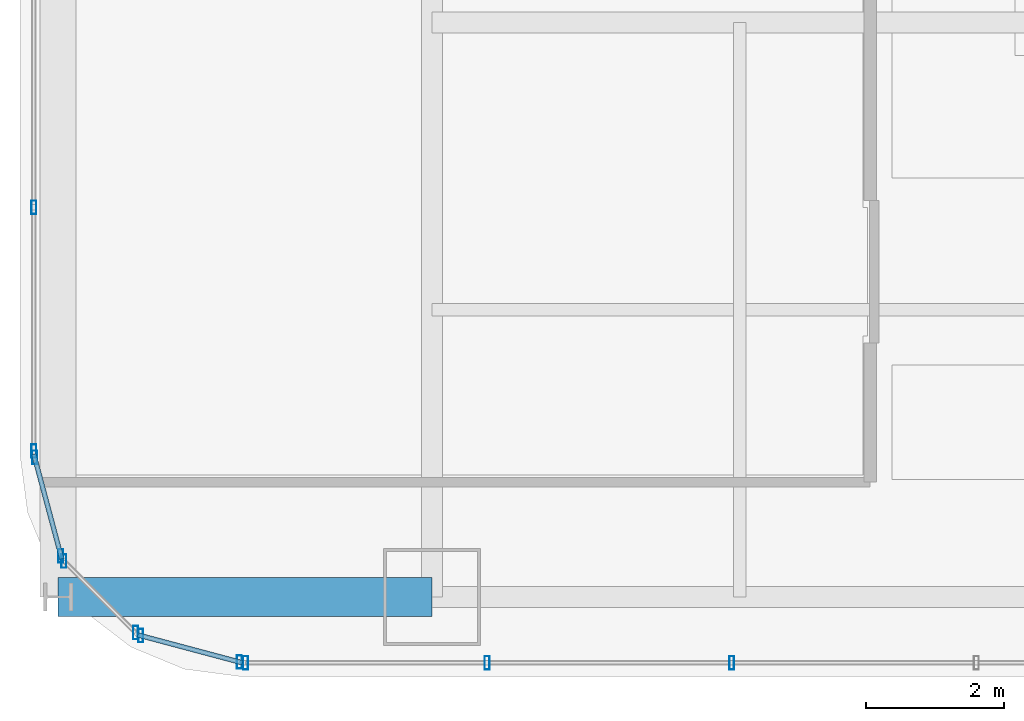
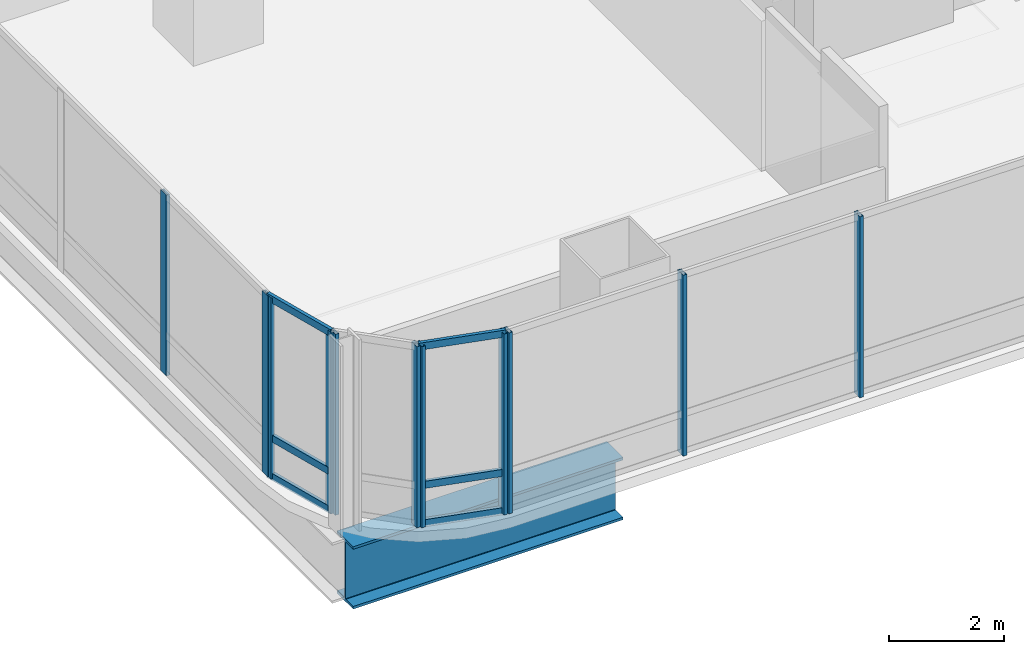
# One storey, part 2 of 38: 17 members, 1 beam, 5 elements without a shape of their own.
"""IFC4 building model written with IfcOpenShell, lengths in metres."""

from ifc_helpers import new_model, si_unit, direction, frame, origin, origin_2d, place, context, subcontext, project, spatial, hollow_rectangle, i_section, extrude, material, material_profile, profile_set, type_object, element, aggregate, save


model = new_model("IFC4")

# Units and contexts
model_context = context("Model", 3, precision=1e-05, world=origin(), true_north=direction((0.0, 1.0)))
body_context = subcontext(model_context, "Body", "Model", "MODEL_VIEW")
ifc_project = project(units=[si_unit("LENGTHUNIT", "METRE"), si_unit("AREAUNIT", "SQUARE_METRE"), si_unit("VOLUMEUNIT", "CUBIC_METRE"), si_unit("PLANEANGLEUNIT", "RADIAN"), si_unit("MASSUNIT", "GRAM", prefix="KILO")], contexts=[model_context])

# Site, building, storey
site_placement = place(None, origin())
site = spatial("IfcSite", under=ifc_project, at=site_placement, CompositionType="ELEMENT")
building_placement = place(site_placement, origin())
building = spatial("IfcBuilding", under=site, at=building_placement, Name="Punatoya Terracotta Tower", CompositionType="ELEMENT")
storey_placement = place(building_placement, frame((0.0, 0.0, 143.85009765625)))
storey = spatial("IfcBuildingStorey", under=building, at=storey_placement, Name="L33", CompositionType="ELEMENT", Elevation=143.85009765625)

# Beam
ifc_material_1 = material(Name="Steel S460", Category="steel")
ifc_material_profile_1 = material_profile(ifc_material_1, i_section(OverallWidth=0.56005859375, OverallDepth=1.320068359375, WebThickness=0.035888671875, FlangeThickness=0.054931640625, FilletRadius=0.01806640625, at=origin_2d()))
ifc_profile_set_1 = profile_set([ifc_material_profile_1], Name="Steel S460")
beam_type = type_object("IfcBeamType", Name="BM-TG-BLK", PredefinedType="BEAM", material=ifc_profile_set_1)
beam_placement = place(storey_placement, frame((-24.5, -17.5, -0.880126953125), z_axis=(1.0, 0.0, 0.0), x_axis=(0.0, 1.0, 0.0)))
element("IfcBeam", 1, at=beam_placement, inside=storey, type_object=beam_type, Name="BM-L33-CANT-W1", PredefinedType="BEAM", context=body_context, shape_type="SweptSolid", body=[
    extrude(i_section(OverallWidth=0.56005859375, OverallDepth=1.320068359375, WebThickness=0.035888671875, FlangeThickness=0.054931640625, FilletRadius=0.01806640625, at=origin_2d()), origin(), (0.0, 0.0, 1.0), 5.39990234375),
])

# Curtain wall, members
ifc_material_2 = material(Name="Aluminium 6063-T6 + Double Low-E Glass", Category="aluminium")
curtain_wall_type = type_object("IfcCurtainWallType", Name="CW-M2", PredefinedType="NOTDEFINED", material=ifc_material_2)
curtain_wall_1_placement = place(storey_placement, origin())
curtain_wall_1 = element("IfcCurtainWall", 2, at=curtain_wall_1_placement, inside=storey, type_object=curtain_wall_type, Name="L33 Curtain Wall CW-L33-S01-1", PredefinedType="NOTDEFINED")
ifc_material_3 = material(Name="Aluminium 6063-T6", Category="aluminium")
ifc_material_profile_2 = material_profile(ifc_material_3, hollow_rectangle(XDim=0.072021484375, YDim=0.195068359375, WallThickness=0.00439453125, at=origin_2d()))
ifc_profile_set_2 = profile_set([ifc_material_profile_2], Name="Aluminium 6063-T6")
member_type_1 = type_object("IfcMemberType", Name="CW-MUL-M2", PredefinedType="MULLION", material=ifc_profile_set_2)
member_1_placement = place(storey_placement, frame((-21.7919921875, -18.449951171875, 0.0), z_axis=(0.0, 0.0, 1.0), x_axis=(1.0, 0.0, 0.0)))
member_1 = element("IfcMember", 3, at=member_1_placement, type_object=member_type_1, Name="CW-L33-S01-1 Mullion 00", PredefinedType="MULLION", context=body_context, shape_type="SweptSolid", body=[
    extrude(hollow_rectangle(XDim=0.072021484375, YDim=0.195068359375, WallThickness=0.00439453125, at=origin_2d()), origin(), (0.0, 0.0, 1.0), 3.829833984375),
])
member_2_placement = place(storey_placement, frame((-18.302978515625, -18.449951171875, 0.0), z_axis=(0.0, 0.0, 1.0), x_axis=(1.0, 0.0, 0.0)))
member_2 = element("IfcMember", 4, at=member_2_placement, type_object=member_type_1, Name="CW-L33-S01-1 Mullion 01", PredefinedType="MULLION", context=body_context, shape_type="SweptSolid", body=[
    extrude(hollow_rectangle(XDim=0.072021484375, YDim=0.195068359375, WallThickness=0.00439453125, at=origin_2d()), origin(), (0.0, 0.0, 1.0), 3.829833984375),
])
member_3_placement = place(storey_placement, frame((-14.768798828125, -18.449951171875, 0.0), z_axis=(0.0, 0.0, 1.0), x_axis=(1.0, 0.0, 0.0)))
member_3 = element("IfcMember", 5, at=member_3_placement, type_object=member_type_1, Name="CW-L33-S01-1 Mullion 02", PredefinedType="MULLION", context=body_context, shape_type="SweptSolid", body=[
    extrude(hollow_rectangle(XDim=0.072021484375, YDim=0.195068359375, WallThickness=0.00439453125, at=origin_2d()), origin(), (0.0, 0.0, 1.0), 3.829833984375),
])
aggregate(curtain_wall_1, [member_1, member_2, member_3])

curtain_wall_2_placement = place(storey_placement, origin())
curtain_wall_2 = element("IfcCurtainWall", 6, at=curtain_wall_2_placement, inside=storey, type_object=curtain_wall_type, Name="L33 Curtain Wall CW-L33-W13-1", PredefinedType="NOTDEFINED")
member_4_placement = place(storey_placement, frame((-24.85009765625, -11.869384765625, 0.0), z_axis=(0.0, 0.0, 1.0), x_axis=(1.0, 0.0, 0.0)))
member_4 = element("IfcMember", 7, at=member_4_placement, type_object=member_type_1, Name="CW-L33-W13-1 Mullion 09", PredefinedType="MULLION", context=body_context, shape_type="SweptSolid", body=[
    extrude(hollow_rectangle(XDim=0.072021484375, YDim=0.195068359375, WallThickness=0.00439453125, at=origin_2d()), origin(), (0.0, 0.0, 1.0), 3.829833984375),
])
member_5_placement = place(storey_placement, frame((-24.85009765625, -15.391845703125, 0.0), z_axis=(0.0, 0.0, 1.0), x_axis=(1.0, 0.0, 0.0)))
member_5 = element("IfcMember", 8, at=member_5_placement, type_object=member_type_1, Name="CW-L33-W13-1 Mullion 10", PredefinedType="MULLION", context=body_context, shape_type="SweptSolid", body=[
    extrude(hollow_rectangle(XDim=0.072021484375, YDim=0.195068359375, WallThickness=0.00439453125, at=origin_2d()), origin(), (0.0, 0.0, 1.0), 3.829833984375),
])
aggregate(curtain_wall_2, [member_4, member_5])

curtain_wall_3_placement = place(storey_placement, origin())
curtain_wall_3 = element("IfcCurtainWall", 9, at=curtain_wall_3_placement, inside=storey, type_object=curtain_wall_type, Name="L33 Curtain Wall CW-L33-CRN14", PredefinedType="NOTDEFINED")
member_6_placement = place(storey_placement, frame((-24.83837890625, -15.48046875, 0.0), z_axis=(0.0, 0.0, 1.0), x_axis=(1.0, 0.0, 0.0)))
member_6 = element("IfcMember", 10, at=member_6_placement, type_object=member_type_1, Name="CW-L33-CRN14 Mullion 00", PredefinedType="MULLION", context=body_context, shape_type="SweptSolid", body=[
    extrude(hollow_rectangle(XDim=0.072021484375, YDim=0.195068359375, WallThickness=0.00439453125, at=origin_2d()), origin(), (0.0, 0.0, 1.0), 3.829833984375),
])
member_7_placement = place(storey_placement, frame((-24.458251953125, -16.905517578125, 0.0), z_axis=(0.0, 0.0, 1.0), x_axis=(1.0, 0.0, 0.0)))
member_7 = element("IfcMember", 11, at=member_7_placement, type_object=member_type_1, Name="CW-L33-CRN14 Mullion 01", PredefinedType="MULLION", context=body_context, shape_type="SweptSolid", body=[
    extrude(hollow_rectangle(XDim=0.072021484375, YDim=0.195068359375, WallThickness=0.00439453125, at=origin_2d()), origin(), (0.0, 0.0, 1.0), 3.829833984375),
])

curtain_wall_4_placement = place(storey_placement, origin())
curtain_wall_4 = element("IfcCurtainWall", 12, at=curtain_wall_4_placement, inside=storey, type_object=curtain_wall_type, Name="L33 Curtain Wall CW-L33-CRN15", PredefinedType="NOTDEFINED")
member_8_placement = place(storey_placement, frame((-24.414794921875, -16.98095703125, 0.0), z_axis=(0.0, 0.0, 1.0), x_axis=(1.0, 0.0, 0.0)))
member_8 = element("IfcMember", 13, at=member_8_placement, type_object=member_type_1, Name="CW-L33-CRN15 Mullion 00", PredefinedType="MULLION", context=body_context, shape_type="SweptSolid", body=[
    extrude(hollow_rectangle(XDim=0.072021484375, YDim=0.195068359375, WallThickness=0.00439453125, at=origin_2d()), origin(), (0.0, 0.0, 1.0), 3.829833984375),
])
member_9_placement = place(storey_placement, frame((-23.380859375, -18.014892578125, 0.0), z_axis=(0.0, 0.0, 1.0), x_axis=(1.0, 0.0, 0.0)))
member_9 = element("IfcMember", 14, at=member_9_placement, type_object=member_type_1, Name="CW-L33-CRN15 Mullion 01", PredefinedType="MULLION", context=body_context, shape_type="SweptSolid", body=[
    extrude(hollow_rectangle(XDim=0.072021484375, YDim=0.195068359375, WallThickness=0.00439453125, at=origin_2d()), origin(), (0.0, 0.0, 1.0), 3.829833984375),
])
aggregate(curtain_wall_4, [member_8, member_9])

curtain_wall_5_placement = place(storey_placement, origin())
curtain_wall_5 = element("IfcCurtainWall", 15, at=curtain_wall_5_placement, inside=storey, type_object=curtain_wall_type, Name="L33 Curtain Wall CW-L33-CRN16", PredefinedType="NOTDEFINED")
member_10_placement = place(storey_placement, frame((-23.3056640625, -18.05810546875, 0.0), z_axis=(0.0, 0.0, 1.0), x_axis=(1.0, 0.0, 0.0)))
member_10 = element("IfcMember", 16, at=member_10_placement, type_object=member_type_1, Name="CW-L33-CRN16 Mullion 00", PredefinedType="MULLION", context=body_context, shape_type="SweptSolid", body=[
    extrude(hollow_rectangle(XDim=0.072021484375, YDim=0.195068359375, WallThickness=0.00439453125, at=origin_2d()), origin(), (0.0, 0.0, 1.0), 3.829833984375),
])
member_11_placement = place(storey_placement, frame((-21.88037109375, -18.4384765625, 0.0), z_axis=(0.0, 0.0, 1.0), x_axis=(1.0, 0.0, 0.0)))
member_11 = element("IfcMember", 17, at=member_11_placement, type_object=member_type_1, Name="CW-L33-CRN16 Mullion 01", PredefinedType="MULLION", context=body_context, shape_type="SweptSolid", body=[
    extrude(hollow_rectangle(XDim=0.072021484375, YDim=0.195068359375, WallThickness=0.00439453125, at=origin_2d()), origin(), (0.0, 0.0, 1.0), 3.829833984375),
])

# Member
ifc_material_profile_3 = material_profile(ifc_material_3, hollow_rectangle(XDim=0.068115234375, YDim=0.14990234375, WallThickness=0.00390625, at=origin_2d()))
ifc_profile_set_3 = profile_set([ifc_material_profile_3], Name="Aluminium 6063-T6")
member_type_2 = type_object("IfcMemberType", Name="CW-TRN-TYP", PredefinedType="USERDEFINED", material=ifc_profile_set_3)
member_12_placement = place(storey_placement, frame((-24.85009765625, -15.43701171875, 0.039794921875), z_axis=(0.257847112249, -0.966185730957, 0.0), x_axis=(0.966185730957, 0.257847112249, 0.0)))
member_12 = element("IfcMember", 18, at=member_12_placement, type_object=member_type_2, Name="CW-L33-CRN14 Transom 1", ObjectType="TRANSOM", PredefinedType="USERDEFINED", context=body_context, shape_type="SweptSolid", body=[
    extrude(hollow_rectangle(XDim=0.068115234375, YDim=0.14990234375, WallThickness=0.00390625, at=origin_2d()), origin(), (0.0, 0.0, 1.0), 1.565185546875),
])

member_13_placement = place(storey_placement, frame((-24.85009765625, -15.43701171875, 0.849853515625), z_axis=(0.257847112249, -0.966185730957, 0.0), x_axis=(0.966185730957, 0.257847112249, 0.0)))
member_13 = element("IfcMember", 19, at=member_13_placement, type_object=member_type_2, Name="CW-L33-CRN14 Transom 2", ObjectType="TRANSOM", PredefinedType="USERDEFINED", context=body_context, shape_type="SweptSolid", body=[
    extrude(hollow_rectangle(XDim=0.068115234375, YDim=0.14990234375, WallThickness=0.00390625, at=origin_2d()), origin(), (0.0, 0.0, 1.0), 1.565185546875),
])

member_14_placement = place(storey_placement, frame((-24.85009765625, -15.43701171875, 3.789794921875), z_axis=(0.257847112249, -0.966185730957, 0.0), x_axis=(0.966185730957, 0.257847112249, 0.0)))
member_14 = element("IfcMember", 20, at=member_14_placement, type_object=member_type_2, Name="CW-L33-CRN14 Transom 3", ObjectType="TRANSOM", PredefinedType="USERDEFINED", context=body_context, shape_type="SweptSolid", body=[
    extrude(hollow_rectangle(XDim=0.068115234375, YDim=0.14990234375, WallThickness=0.00390625, at=origin_2d()), origin(), (0.0, 0.0, 1.0), 1.565185546875),
])

aggregate(curtain_wall_3, [member_6, member_7, member_12, member_13, member_14])

member_15_placement = place(storey_placement, frame((-23.34912109375, -18.046630859375, 0.039794921875), z_axis=(0.966224582397, -0.257701486942, 0.0), x_axis=(0.257701486942, 0.966224582397, 0.0)))
member_15 = element("IfcMember", 21, at=member_15_placement, type_object=member_type_2, Name="CW-L33-CRN16 Transom 1", ObjectType="TRANSOM", PredefinedType="USERDEFINED", context=body_context, shape_type="SweptSolid", body=[
    extrude(hollow_rectangle(XDim=0.068115234375, YDim=0.14990234375, WallThickness=0.00390625, at=origin_2d()), origin(), (0.0, 0.0, 1.0), 1.565185546875),
])

member_16_placement = place(storey_placement, frame((-23.34912109375, -18.046630859375, 0.849853515625), z_axis=(0.966224582397, -0.257701486942, 0.0), x_axis=(0.257701486942, 0.966224582397, 0.0)))
member_16 = element("IfcMember", 22, at=member_16_placement, type_object=member_type_2, Name="CW-L33-CRN16 Transom 2", ObjectType="TRANSOM", PredefinedType="USERDEFINED", context=body_context, shape_type="SweptSolid", body=[
    extrude(hollow_rectangle(XDim=0.068115234375, YDim=0.14990234375, WallThickness=0.00390625, at=origin_2d()), origin(), (0.0, 0.0, 1.0), 1.565185546875),
])

member_17_placement = place(storey_placement, frame((-23.34912109375, -18.046630859375, 3.789794921875), z_axis=(0.966224582397, -0.257701486942, 0.0), x_axis=(0.257701486942, 0.966224582397, 0.0)))
member_17 = element("IfcMember", 23, at=member_17_placement, type_object=member_type_2, Name="CW-L33-CRN16 Transom 3", ObjectType="TRANSOM", PredefinedType="USERDEFINED", context=body_context, shape_type="SweptSolid", body=[
    extrude(hollow_rectangle(XDim=0.068115234375, YDim=0.14990234375, WallThickness=0.00390625, at=origin_2d()), origin(), (0.0, 0.0, 1.0), 1.565185546875),
])

aggregate(curtain_wall_5, [member_10, member_11, member_15, member_16, member_17])

save(model, "model.ifc")
